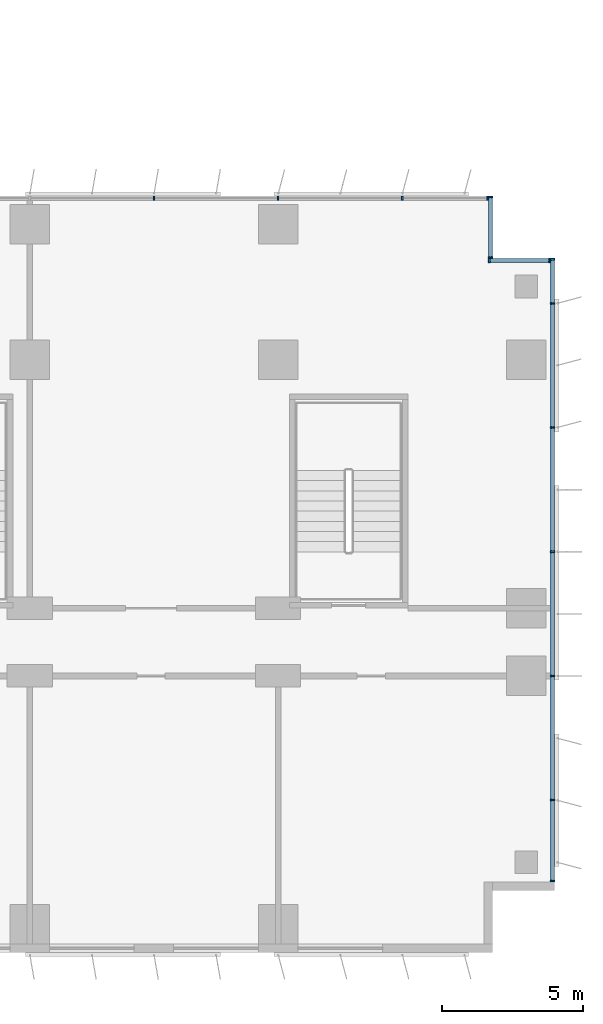
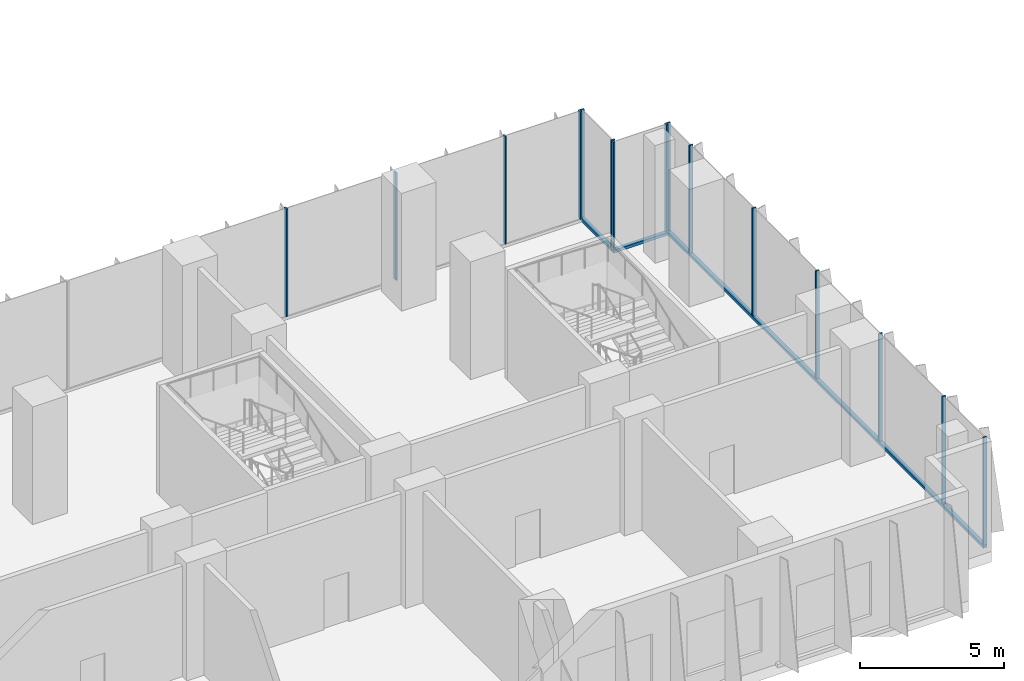
# One storey, part 8 of 23: 18 members, 4 elements without a shape of their own.
"""IFC4 building model written with IfcOpenShell, lengths in metres."""

from ifc_helpers import new_model, si_unit, direction, frame, origin, origin_2d, place, context, subcontext, project, spatial, rectangle, extrude, source, transform, mapped, material, material_profile, profile_set, type_object, element, aggregate, save


model = new_model("IFC4")

# Units and contexts
model_context = context("Model", 3, precision=1e-05, world=origin(), true_north=direction((0.0, 1.0)))
body_context = subcontext(model_context, "Body", "Model", "MODEL_VIEW")
ifc_project = project(units=[si_unit("LENGTHUNIT", "METRE"), si_unit("AREAUNIT", "SQUARE_METRE"), si_unit("VOLUMEUNIT", "CUBIC_METRE"), si_unit("PLANEANGLEUNIT", "RADIAN"), si_unit("MASSUNIT", "GRAM", prefix="KILO")], contexts=[model_context])

# Site, building, storey
site_placement = place(None, origin())
site = spatial("IfcSite", under=ifc_project, at=site_placement, CompositionType="ELEMENT")
building_placement = place(site_placement, origin())
building = spatial("IfcBuilding", under=site, at=building_placement, Name="Kemantara Hotel Tower", CompositionType="ELEMENT")
storey_placement = place(building_placement, frame((0.0, 0.0, 71.0)))
storey = spatial("IfcBuildingStorey", under=building, at=storey_placement, Name="L16", CompositionType="ELEMENT", Elevation=71.0)

# Curtain wall, member
ifc_material_1 = material(Name="Low-E tinted double insulated glass 36 mm", Category="glass")
curtain_wall_type = type_object("IfcCurtainWallType", Name="TOWER CURTAIN WALL, FRONT FACES", PredefinedType="USERDEFINED", material=ifc_material_1)
curtain_wall_1_placement = place(storey_placement, origin())
curtain_wall_1 = element("IfcCurtainWall", 1, at=curtain_wall_1_placement, inside=storey, type_object=curtain_wall_type, Name="CW4 L16 T1-R04-1", ObjectType="TOWER CURTAIN WALL, FRONT FACES", PredefinedType="USERDEFINED")
ifc_material_2 = material(Name="Aluminium 6063-T6 bronze anodised", Category="aluminium")
ifc_material_profile_1 = material_profile(ifc_material_2, rectangle(XDim=0.14990234375, YDim=0.1201171875, at=origin_2d()), Name="TOWER CURTAIN WALL, FRONT FACES TRANSOM")
ifc_profile_set_1 = profile_set([ifc_material_profile_1], Name="Aluminium 6063-T6 bronze anodised")
member_type_1 = type_object("IfcMemberType", Name="TOWER CURTAIN WALL, FRONT FACES TRANSOM", PredefinedType="USERDEFINED", material=ifc_profile_set_1)
member_1_placement = place(storey_placement, frame((81.125, 2.5, 0.06005859375), z_axis=(0.0, 1.0, 0.0), x_axis=(-1.0, 0.0, 0.0)))
member_1 = element("IfcMember", 2, at=member_1_placement, type_object=member_type_1, Name="CW4 sill transom T1-R04-1", ObjectType="TRANSOM", PredefinedType="USERDEFINED", context=body_context, shape_type="SweptSolid", body=[
    extrude(rectangle(XDim=0.14990234375, YDim=0.1201171875, at=origin_2d()), origin(), (0.0, 0.0, 1.0), 22.10009765625),
])

curtain_wall_2_placement = place(storey_placement, origin())
curtain_wall_2 = element("IfcCurtainWall", 3, at=curtain_wall_2_placement, inside=storey, type_object=curtain_wall_type, Name="CW4 L16 T1-R05-1", ObjectType="TOWER CURTAIN WALL, FRONT FACES", PredefinedType="USERDEFINED")
member_2_placement = place(storey_placement, frame((81.050048828125, 24.52490234375, 0.06005859375), z_axis=(-1.0, 0.0, 0.0), x_axis=(0.0, -1.0, 0.0)))
member_2 = element("IfcMember", 4, at=member_2_placement, type_object=member_type_1, Name="CW4 sill transom T1-R05-1", ObjectType="TRANSOM", PredefinedType="USERDEFINED", context=body_context, shape_type="SweptSolid", body=[
    extrude(rectangle(XDim=0.14990234375, YDim=0.1201171875, at=origin_2d()), origin(), (0.0, 0.0, 1.0), 2.199951171875),
])

curtain_wall_3_placement = place(storey_placement, origin())
curtain_wall_3 = element("IfcCurtainWall", 5, at=curtain_wall_3_placement, inside=storey, type_object=curtain_wall_type, Name="CW4 L16 T1-R06-1", ObjectType="TOWER CURTAIN WALL, FRONT FACES", PredefinedType="USERDEFINED")
member_3_placement = place(storey_placement, frame((78.925048828125, 24.60009765625, 0.06005859375), z_axis=(0.0, 1.0, 0.0), x_axis=(-1.0, 0.0, 0.0)))
member_3 = element("IfcMember", 6, at=member_3_placement, type_object=member_type_1, Name="CW4 sill transom T1-R06-1", ObjectType="TRANSOM", PredefinedType="USERDEFINED", context=body_context, shape_type="SweptSolid", body=[
    extrude(rectangle(XDim=0.14990234375, YDim=0.1201171875, at=origin_2d()), origin(), (0.0, 0.0, 1.0), 2.199951171875),
])

# Member
ifc_material_profile_2 = material_profile(ifc_material_2, rectangle(XDim=0.14990234375, YDim=0.06005859375, at=origin_2d()), Name="TOWER CURTAIN WALL, FRONT FACES MULLION")
ifc_profile_set_2 = profile_set([ifc_material_profile_2], Name="Aluminium 6063-T6 bronze anodised")
member_type_2 = type_object("IfcMemberType", Name="TOWER CURTAIN WALL, FRONT FACES MULLION", PredefinedType="MULLION", material=ifc_profile_set_2)
shared_shape = source(origin(), body_context, "Body", "SweptSolid", [
    extrude(rectangle(XDim=0.14990234375, YDim=0.06005859375, at=origin_2d()), origin(), (0.0, 0.0, 1.0), 4.579833984375),
])
member_4_placement = place(storey_placement, frame((81.125, 2.530029296875, 0.1201171875), z_axis=(0.0, 0.0, 1.0), x_axis=(-1.0, 0.0, 0.0)))
member_4 = element("IfcMember", 7, at=member_4_placement, type_object=member_type_2, Name="CW4 mullion T1-R04-1.1", PredefinedType="MULLION", context=body_context, shape_type="MappedRepresentation", body=[
    mapped(shared_shape, transform((0.0, 0.0, 0.0))),
])

member_5_placement = place(storey_placement, frame((81.125, 5.39990234375, 0.1201171875), z_axis=(0.0, 0.0, 1.0), x_axis=(-1.0, 0.0, 0.0)))
member_5 = element("IfcMember", 8, at=member_5_placement, type_object=member_type_2, Name="CW4 mullion T1-R04-1.2", PredefinedType="MULLION", context=body_context, shape_type="MappedRepresentation", body=[
    mapped(shared_shape, transform((0.0, 0.0, 0.0))),
])

member_6_placement = place(storey_placement, frame((81.125, 9.800048828125, 0.1201171875), z_axis=(0.0, 0.0, 1.0), x_axis=(-1.0, 0.0, 0.0)))
member_6 = element("IfcMember", 9, at=member_6_placement, type_object=member_type_2, Name="CW4 mullion T1-R04-1.3", PredefinedType="MULLION", context=body_context, shape_type="MappedRepresentation", body=[
    mapped(shared_shape, transform((0.0, 0.0, 0.0))),
])

member_7_placement = place(storey_placement, frame((81.125, 14.199951171875, 0.1201171875), z_axis=(0.0, 0.0, 1.0), x_axis=(-1.0, 0.0, 0.0)))
member_7 = element("IfcMember", 10, at=member_7_placement, type_object=member_type_2, Name="CW4 mullion T1-R04-1.4", PredefinedType="MULLION", context=body_context, shape_type="MappedRepresentation", body=[
    mapped(shared_shape, transform((0.0, 0.0, 0.0))),
])

member_8_placement = place(storey_placement, frame((81.125, 18.60009765625, 0.1201171875), z_axis=(0.0, 0.0, 1.0), x_axis=(-1.0, 0.0, 0.0)))
member_8 = element("IfcMember", 11, at=member_8_placement, type_object=member_type_2, Name="CW4 mullion T1-R04-1.5", PredefinedType="MULLION", context=body_context, shape_type="MappedRepresentation", body=[
    mapped(shared_shape, transform((0.0, 0.0, 0.0))),
])

member_9_placement = place(storey_placement, frame((81.125, 23.0, 0.1201171875), z_axis=(0.0, 0.0, 1.0), x_axis=(-1.0, 0.0, 0.0)))
member_9 = element("IfcMember", 12, at=member_9_placement, type_object=member_type_2, Name="CW4 mullion T1-R04-1.6", PredefinedType="MULLION", context=body_context, shape_type="MappedRepresentation", body=[
    mapped(shared_shape, transform((0.0, 0.0, 0.0))),
])

member_10_placement = place(storey_placement, frame((81.125, 24.570068359375, 0.1201171875), z_axis=(0.0, 0.0, 1.0), x_axis=(-1.0, 0.0, 0.0)))
member_10 = element("IfcMember", 13, at=member_10_placement, type_object=member_type_2, Name="CW4 mullion T1-R04-1.7", PredefinedType="MULLION", context=body_context, shape_type="MappedRepresentation", body=[
    mapped(shared_shape, transform((0.0, 0.0, 0.0))),
])

aggregate(curtain_wall_1, [member_1, member_4, member_5, member_6, member_7, member_8, member_9, member_10])

# Curtain wall, members
curtain_wall_4_placement = place(storey_placement, origin())
curtain_wall_4 = element("IfcCurtainWall", 14, at=curtain_wall_4_placement, inside=storey, type_object=curtain_wall_type, Name="CW4 L16 T1-R07-1", ObjectType="TOWER CURTAIN WALL, FRONT FACES", PredefinedType="USERDEFINED")
member_11_placement = place(storey_placement, frame((78.820068359375, 26.72509765625, 0.1201171875), z_axis=(0.0, 0.0, 1.0), x_axis=(0.0, -1.0, 0.0)))
member_11 = element("IfcMember", 15, at=member_11_placement, type_object=member_type_2, Name="CW4 mullion T1-R07-1.1", PredefinedType="MULLION", context=body_context, shape_type="MappedRepresentation", body=[
    mapped(shared_shape, transform((0.0, 0.0, 0.0))),
])
member_12_placement = place(storey_placement, frame((75.800048828125, 26.72509765625, 0.1201171875), z_axis=(0.0, 0.0, 1.0), x_axis=(0.0, -1.0, 0.0)))
member_12 = element("IfcMember", 16, at=member_12_placement, type_object=member_type_2, Name="CW4 mullion T1-R07-1.2", PredefinedType="MULLION", context=body_context, shape_type="MappedRepresentation", body=[
    mapped(shared_shape, transform((0.0, 0.0, 0.0))),
])
member_13_placement = place(storey_placement, frame((71.39990234375, 26.72509765625, 0.1201171875), z_axis=(0.0, 0.0, 1.0), x_axis=(0.0, -1.0, 0.0)))
member_13 = element("IfcMember", 17, at=member_13_placement, type_object=member_type_2, Name="CW4 mullion T1-R07-1.3", PredefinedType="MULLION", context=body_context, shape_type="MappedRepresentation", body=[
    mapped(shared_shape, transform((0.0, 0.0, 0.0))),
])
member_14_placement = place(storey_placement, frame((67.0, 26.72509765625, 0.1201171875), z_axis=(0.0, 0.0, 1.0), x_axis=(0.0, -1.0, 0.0)))
member_14 = element("IfcMember", 18, at=member_14_placement, type_object=member_type_2, Name="CW4 mullion T1-R07-1.4", PredefinedType="MULLION", context=body_context, shape_type="MappedRepresentation", body=[
    mapped(shared_shape, transform((0.0, 0.0, 0.0))),
])
aggregate(curtain_wall_4, [member_11, member_12, member_13, member_14])

# Member
member_15_placement = place(storey_placement, frame((81.02001953125, 24.52490234375, 0.1201171875), z_axis=(0.0, 0.0, 1.0), x_axis=(0.0, -1.0, 0.0)))
member_15 = element("IfcMember", 19, at=member_15_placement, type_object=member_type_2, Name="CW4 mullion T1-R05-1.1", PredefinedType="MULLION", context=body_context, shape_type="MappedRepresentation", body=[
    mapped(shared_shape, transform((0.0, 0.0, 0.0))),
])

member_16_placement = place(storey_placement, frame((78.8798828125, 24.52490234375, 0.1201171875), z_axis=(0.0, 0.0, 1.0), x_axis=(0.0, -1.0, 0.0)))
member_16 = element("IfcMember", 20, at=member_16_placement, type_object=member_type_2, Name="CW4 mullion T1-R05-1.2", PredefinedType="MULLION", context=body_context, shape_type="MappedRepresentation", body=[
    mapped(shared_shape, transform((0.0, 0.0, 0.0))),
])

aggregate(curtain_wall_2, [member_2, member_15, member_16])

member_17_placement = place(storey_placement, frame((78.925048828125, 24.6298828125, 0.1201171875), z_axis=(0.0, 0.0, 1.0), x_axis=(-1.0, 0.0, 0.0)))
member_17 = element("IfcMember", 21, at=member_17_placement, type_object=member_type_2, Name="CW4 mullion T1-R06-1.1", PredefinedType="MULLION", context=body_context, shape_type="MappedRepresentation", body=[
    mapped(shared_shape, transform((0.0, 0.0, 0.0))),
])

member_18_placement = place(storey_placement, frame((78.925048828125, 26.77001953125, 0.1201171875), z_axis=(0.0, 0.0, 1.0), x_axis=(-1.0, 0.0, 0.0)))
member_18 = element("IfcMember", 22, at=member_18_placement, type_object=member_type_2, Name="CW4 mullion T1-R06-1.2", PredefinedType="MULLION", context=body_context, shape_type="MappedRepresentation", body=[
    mapped(shared_shape, transform((0.0, 0.0, 0.0))),
])

aggregate(curtain_wall_3, [member_3, member_17, member_18])

save(model, "model.ifc")
